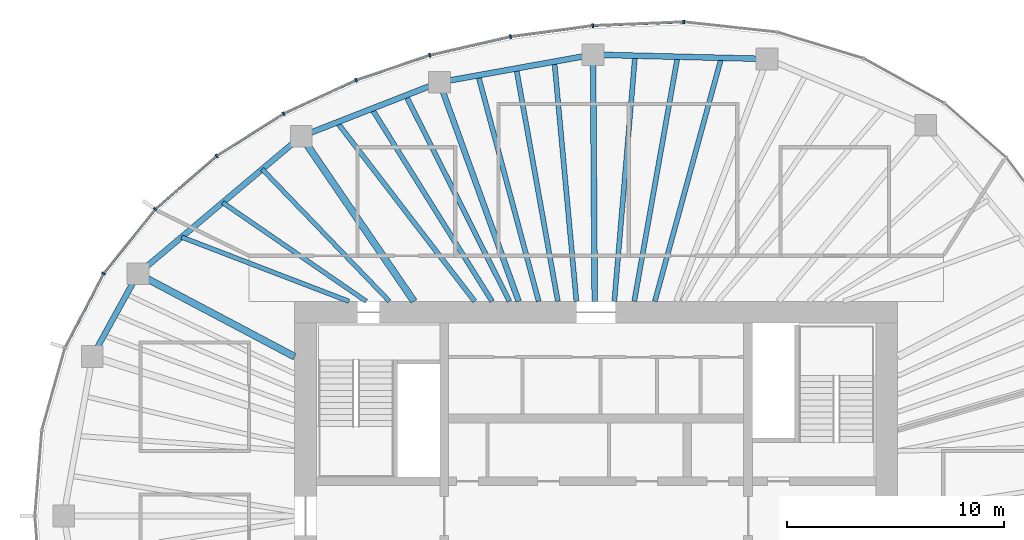
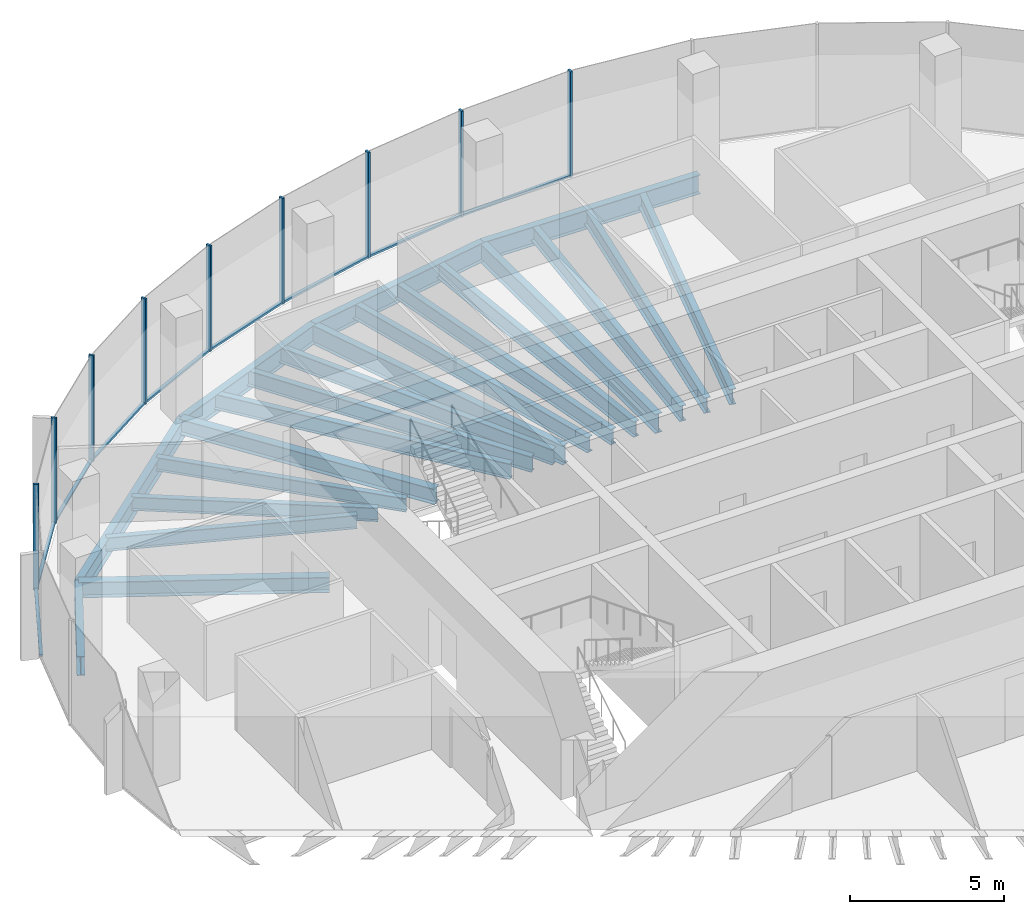
# One storey, part 5 of 11: 21 beams, 18 members, 5 elements without a shape of their own.
"""IFC4 building model written with IfcOpenShell, lengths in metres."""

from ifc_helpers import new_model, si_unit, direction, frame, origin, origin_2d, place, context, subcontext, project, spatial, rectangle, i_section, extrude, material, material_profile, profile_set, type_object, element, aggregate, save


model = new_model("IFC4")

# Units and contexts
model_context = context("Model", 3, precision=1e-05, world=origin(), true_north=direction((0.0, 1.0)))
body_context = subcontext(model_context, "Body", "Model", "MODEL_VIEW")
ifc_project = project(units=[si_unit("LENGTHUNIT", "METRE"), si_unit("AREAUNIT", "SQUARE_METRE"), si_unit("VOLUMEUNIT", "CUBIC_METRE"), si_unit("PLANEANGLEUNIT", "RADIAN"), si_unit("MASSUNIT", "GRAM", prefix="KILO")], contexts=[model_context])

# Site, building, storey
site_placement = place(None, origin())
site = spatial("IfcSite", under=ifc_project, at=site_placement, CompositionType="ELEMENT")
building_placement = place(site_placement, origin())
building = spatial("IfcBuilding", under=site, at=building_placement, Name="Ghaith Harvest Tower", CompositionType="ELEMENT")
storey_placement = place(building_placement, frame((0.0, 0.0, 313.199951171875)))
storey = spatial("IfcBuildingStorey", under=building, at=storey_placement, Name="L70", CompositionType="ELEMENT", Elevation=313.199951171875)

# Curtain wall, member
ifc_material_1 = material(Name="Black anodised aluminium and fritted glass", Category="aluminium")
curtain_wall_type = type_object("IfcCurtainWallType", Name="CW-T CURTAIN WALL", PredefinedType="NOTDEFINED", material=ifc_material_1)
curtain_wall_1_placement = place(storey_placement, origin())
curtain_wall_1 = element("IfcCurtainWall", 1, at=curtain_wall_1_placement, inside=storey, type_object=curtain_wall_type, Name="Curtain wall CW-T bay 05 L70", PredefinedType="NOTDEFINED")
ifc_material_2 = material(Name="Aluminium, black anodised", Category="aluminium")
ifc_material_profile_1 = material_profile(ifc_material_2, rectangle(XDim=0.080078125, YDim=0.179931640625, at=origin_2d()), Name="CW-T MULLION 80x180")
ifc_profile_set_1 = profile_set([ifc_material_profile_1], Name="Aluminium, black anodised")
member_type_1 = type_object("IfcMemberType", Name="CW-T MULLION 80x180", PredefinedType="MULLION", material=ifc_profile_set_1)
member_1_placement = place(storey_placement, frame((4.037841796875, 22.776611328125, 0.0), z_axis=(0.0, 0.0, 1.0), x_axis=(-0.999388631236, 0.034962319079, 0.0)))
member_1 = element("IfcMember", 2, at=member_1_placement, type_object=member_type_1, Name="CW-T mullion 2 bay 05 L70", PredefinedType="MULLION", context=body_context, shape_type="SweptSolid", body=[
    extrude(rectangle(XDim=0.080078125, YDim=0.179931640625, at=origin_2d()), origin(), (0.0, 0.0, 1.0), 4.199951171875),
])

# Curtain wall, members
curtain_wall_2_placement = place(storey_placement, origin())
curtain_wall_2 = element("IfcCurtainWall", 3, at=curtain_wall_2_placement, inside=storey, type_object=curtain_wall_type, Name="Curtain wall CW-T bay 06 L70", PredefinedType="NOTDEFINED")
member_2_placement = place(storey_placement, frame((-0.15478515625, 22.60595703125, 0.0), z_axis=(0.0, 0.0, 1.0), x_axis=(-0.996414855482, -0.084601629853, 0.0)))
member_2 = element("IfcMember", 4, at=member_2_placement, type_object=member_type_1, Name="CW-T mullion 1 bay 06 L70", PredefinedType="MULLION", context=body_context, shape_type="SweptSolid", body=[
    extrude(rectangle(XDim=0.080078125, YDim=0.179931640625, at=origin_2d()), origin(), (0.0, 0.0, 1.0), 4.199951171875),
])
member_3_placement = place(storey_placement, frame((-3.946533203125, 22.0986328125, 0.0), z_axis=(0.0, 0.0, 1.0), x_axis=(-0.983843447681, -0.179030920389, 0.0)))
member_3 = element("IfcMember", 5, at=member_3_placement, type_object=member_type_1, Name="CW-T mullion 2 bay 06 L70", PredefinedType="MULLION", context=body_context, shape_type="SweptSolid", body=[
    extrude(rectangle(XDim=0.080078125, YDim=0.179931640625, at=origin_2d()), origin(), (0.0, 0.0, 1.0), 4.199951171875),
])

curtain_wall_3_placement = place(storey_placement, origin())
curtain_wall_3 = element("IfcCurtainWall", 6, at=curtain_wall_3_placement, inside=storey, type_object=curtain_wall_type, Name="Curtain wall CW-T bay 07 L70", PredefinedType="NOTDEFINED")
member_4_placement = place(storey_placement, frame((-7.6708984375, 21.23828125, 0.0), z_axis=(0.0, 0.0, 1.0), x_axis=(-0.962552491436, -0.27109537294, 0.0)))
member_4 = element("IfcMember", 7, at=member_4_placement, type_object=member_type_1, Name="CW-T mullion 1 bay 07 L70", PredefinedType="MULLION", context=body_context, shape_type="SweptSolid", body=[
    extrude(rectangle(XDim=0.080078125, YDim=0.179931640625, at=origin_2d()), origin(), (0.0, 0.0, 1.0), 4.199951171875),
])
member_5_placement = place(storey_placement, frame((-11.0673828125, 20.093017578125, 0.0), z_axis=(0.0, 0.0, 1.0), x_axis=(-0.928624420706, -0.371021138573, 0.0)))
member_5 = element("IfcMember", 8, at=member_5_placement, type_object=member_type_1, Name="CW-T mullion 2 bay 07 L70", PredefinedType="MULLION", context=body_context, shape_type="SweptSolid", body=[
    extrude(rectangle(XDim=0.080078125, YDim=0.179931640625, at=origin_2d()), origin(), (0.0, 0.0, 1.0), 4.199951171875),
])

curtain_wall_4_placement = place(storey_placement, origin())
curtain_wall_4 = element("IfcCurtainWall", 9, at=curtain_wall_4_placement, inside=storey, type_object=curtain_wall_type, Name="Curtain wall CW-T bay 08 L70", PredefinedType="NOTDEFINED")
member_6_placement = place(storey_placement, frame((-14.40478515625, 18.5478515625, 0.0), z_axis=(0.0, 0.0, 1.0), x_axis=(-0.87867173244, -0.477426420101, 0.0)))
member_6 = element("IfcMember", 10, at=member_6_placement, type_object=member_type_1, Name="CW-T mullion 1 bay 08 L70", PredefinedType="MULLION", context=body_context, shape_type="SweptSolid", body=[
    extrude(rectangle(XDim=0.080078125, YDim=0.179931640625, at=origin_2d()), origin(), (0.0, 0.0, 1.0), 4.199951171875),
])
member_7_placement = place(storey_placement, frame((-17.49462890625, 16.600830078125, 0.0), z_axis=(0.0, 0.0, 1.0), x_axis=(-0.802189888678, -0.597068993084, 0.0)))
member_7 = element("IfcMember", 11, at=member_7_placement, type_object=member_type_1, Name="CW-T mullion 2 bay 08 L70", PredefinedType="MULLION", context=body_context, shape_type="SweptSolid", body=[
    extrude(rectangle(XDim=0.080078125, YDim=0.179931640625, at=origin_2d()), origin(), (0.0, 0.0, 1.0), 4.199951171875),
])

curtain_wall_5_placement = place(storey_placement, origin())
curtain_wall_5 = element("IfcCurtainWall", 12, at=curtain_wall_5_placement, inside=storey, type_object=curtain_wall_type, Name="Curtain wall CW-T bay 09 L70", PredefinedType="NOTDEFINED")
member_8_placement = place(storey_placement, frame((-20.324462890625, 14.141845703125, 0.0), z_axis=(0.0, 0.0, 1.0), x_axis=(-0.692826491995, -0.72110432809, 0.0)))
member_8 = element("IfcMember", 13, at=member_8_placement, type_object=member_type_1, Name="CW-T mullion 1 bay 09 L70", PredefinedType="MULLION", context=body_context, shape_type="SweptSolid", body=[
    extrude(rectangle(XDim=0.080078125, YDim=0.179931640625, at=origin_2d()), origin(), (0.0, 0.0, 1.0), 4.199951171875),
])
member_9_placement = place(storey_placement, frame((-22.706298828125, 11.176513671875, 0.0), z_axis=(0.0, 0.0, 1.0), x_axis=(-0.545865412621, -0.837872872997, 0.0)))
member_9 = element("IfcMember", 14, at=member_9_placement, type_object=member_type_1, Name="CW-T mullion 2 bay 09 L70", PredefinedType="MULLION", context=body_context, shape_type="SweptSolid", body=[
    extrude(rectangle(XDim=0.080078125, YDim=0.179931640625, at=origin_2d()), origin(), (0.0, 0.0, 1.0), 4.199951171875),
])

# Member
ifc_material_3 = material(Name="Aluminium, black anodised", Category="aluminium")
ifc_material_profile_2 = material_profile(ifc_material_3, rectangle(XDim=0.1201171875, YDim=0.080078125, at=origin_2d()), Name="CW-T TRANSOM 120x80")
ifc_profile_set_2 = profile_set([ifc_material_profile_2], Name="Aluminium, black anodised")
member_type_2 = type_object("IfcMemberType", Name="CW-T TRANSOM 120x80", PredefinedType="USERDEFINED", material=ifc_profile_set_2)
member_10_placement = place(storey_placement, frame((3.997802734375, 22.77490234375, 0.0400390625), z_axis=(-0.999174207562, -0.040631304968, 0.0), x_axis=(0.040631304968, -0.999174207562, 0.0)))
member_10 = element("IfcMember", 15, at=member_10_placement, type_object=member_type_2, Name="CW-T transom 2 bay 05 L70", ObjectType="TRANSOM", PredefinedType="USERDEFINED", context=body_context, shape_type="SweptSolid", body=[
    extrude(rectangle(XDim=0.1201171875, YDim=0.080078125, at=origin_2d()), origin(), (0.0, 0.0, 1.0), 4.115966796875),
])

aggregate(curtain_wall_1, [member_1, member_10])

member_11_placement = place(storey_placement, frame((-0.1943359375, 22.6005859375, 0.0400390625), z_axis=(-0.99117202259, -0.132582131655, 0.0), x_axis=(0.132582131655, -0.99117202259, 0.0)))
member_11 = element("IfcMember", 16, at=member_11_placement, type_object=member_type_2, Name="CW-T transom 1 bay 06 L70", ObjectType="TRANSOM", PredefinedType="USERDEFINED", context=body_context, shape_type="SweptSolid", body=[
    extrude(rectangle(XDim=0.1201171875, YDim=0.080078125, at=origin_2d()), origin(), (0.0, 0.0, 1.0), 3.745361328125),
])

member_12_placement = place(storey_placement, frame((-3.9853515625, 22.089599609375, 0.0400390625), z_axis=(-0.974344997799, -0.225059603803, 0.0), x_axis=(0.225059603803, -0.974344997799, 0.0)))
member_12 = element("IfcMember", 17, at=member_12_placement, type_object=member_type_2, Name="CW-T transom 2 bay 06 L70", ObjectType="TRANSOM", PredefinedType="USERDEFINED", context=body_context, shape_type="SweptSolid", body=[
    extrude(rectangle(XDim=0.1201171875, YDim=0.080078125, at=origin_2d()), origin(), (0.0, 0.0, 1.0), 3.742431640625),
])

aggregate(curtain_wall_2, [member_2, member_11, member_3, member_12])

member_13_placement = place(storey_placement, frame((-7.708740234375, 21.2255859375, 0.0400390625), z_axis=(-0.9475698206, -0.319548799228, 0.0), x_axis=(0.319548799228, -0.9475698206, 0.0)))
member_13 = element("IfcMember", 18, at=member_13_placement, type_object=member_type_2, Name="CW-T transom 1 bay 07 L70", ObjectType="TRANSOM", PredefinedType="USERDEFINED", context=body_context, shape_type="SweptSolid", body=[
    extrude(rectangle(XDim=0.1201171875, YDim=0.080078125, at=origin_2d()), origin(), (0.0, 0.0, 1.0), 3.504638671875),
])

member_14_placement = place(storey_placement, frame((-11.103759765625, 20.076171875, 0.0400390625), z_axis=(-0.907472177056, -0.420112184862, 0.0), x_axis=(0.420112184862, -0.907472177056, 0.0)))
member_14 = element("IfcMember", 19, at=member_14_placement, type_object=member_type_2, Name="CW-T transom 2 bay 07 L70", ObjectType="TRANSOM", PredefinedType="USERDEFINED", context=body_context, shape_type="SweptSolid", body=[
    extrude(rectangle(XDim=0.1201171875, YDim=0.080078125, at=origin_2d()), origin(), (0.0, 0.0, 1.0), 3.597900390625),
])

aggregate(curtain_wall_3, [member_4, member_13, member_5, member_14])

member_15_placement = place(storey_placement, frame((-14.438720703125, 18.5263671875, 0.0400390625), z_axis=(-0.846053602505, -0.533097835006, 0.0), x_axis=(0.533097835006, -0.846053602505, 0.0)))
member_15 = element("IfcMember", 20, at=member_15_placement, type_object=member_type_2, Name="CW-T transom 1 bay 08 L70", ObjectType="TRANSOM", PredefinedType="USERDEFINED", context=body_context, shape_type="SweptSolid", body=[
    extrude(rectangle(XDim=0.1201171875, YDim=0.080078125, at=origin_2d()), origin(), (0.0, 0.0, 1.0), 3.572021484375),
])

member_16_placement = place(storey_placement, frame((-17.52490234375, 16.574462890625, 0.0400390625), z_axis=(-0.754851889287, -0.65589528527, 0.0), x_axis=(0.65589528527, -0.754851889287, 0.0)))
member_16 = element("IfcMember", 21, at=member_16_placement, type_object=member_type_2, Name="CW-T transom 2 bay 08 L70", ObjectType="TRANSOM", PredefinedType="USERDEFINED", context=body_context, shape_type="SweptSolid", body=[
    extrude(rectangle(XDim=0.1201171875, YDim=0.080078125, at=origin_2d()), origin(), (0.0, 0.0, 1.0), 3.668701171875),
])

aggregate(curtain_wall_4, [member_6, member_15, member_7, member_16])

member_17_placement = place(storey_placement, frame((-20.349365234375, 14.110595703125, 0.0400390625), z_axis=(-0.626253073761, -0.779619835307, 0.0), x_axis=(0.779619835307, -0.626253073761, 0.0)))
member_17 = element("IfcMember", 22, at=member_17_placement, type_object=member_type_2, Name="CW-T transom 1 bay 09 L70", ObjectType="TRANSOM", PredefinedType="USERDEFINED", context=body_context, shape_type="SweptSolid", body=[
    extrude(rectangle(XDim=0.1201171875, YDim=0.080078125, at=origin_2d()), origin(), (0.0, 0.0, 1.0), 3.723388671875),
])

member_18_placement = place(storey_placement, frame((-22.724609375, 11.14111328125, 0.0400390625), z_axis=(-0.461242681347, -0.887274021317, 0.0), x_axis=(0.887274021317, -0.461242681347, 0.0)))
member_18 = element("IfcMember", 23, at=member_18_placement, type_object=member_type_2, Name="CW-T transom 2 bay 09 L70", ObjectType="TRANSOM", PredefinedType="USERDEFINED", context=body_context, shape_type="SweptSolid", body=[
    extrude(rectangle(XDim=0.1201171875, YDim=0.080078125, at=origin_2d()), origin(), (0.0, 0.0, 1.0), 3.77197265625),
])

aggregate(curtain_wall_5, [member_8, member_17, member_9, member_18])

# Beams
ifc_material_4 = material(Name="Steel ASTM A992 Grade 50", Category="steel")
ifc_material_profile_3 = material_profile(ifc_material_4, i_section(OverallWidth=0.26611328125, OverallDepth=0.758056640625, WebThickness=0.013916015625, FlangeThickness=0.019287109375, at=origin_2d()), Name="W760X161")
ifc_profile_set_3 = profile_set([ifc_material_profile_3], Name="Steel ASTM A992 Grade 50")
beam_type_1 = type_object("IfcBeamType", Name="E760-161 W760X161", PredefinedType="SPANDREL", material=ifc_profile_set_3)
beam_1_placement = place(storey_placement, frame((7.8779296875, 21.072021484375, -0.549072265625), z_axis=(-0.999692679676, 0.024790042413, 0.0), x_axis=(-0.024790042413, -0.999692679676, 0.0)))
element("IfcBeam", 24, at=beam_1_placement, inside=storey, type_object=beam_type_1, Name="Edge beam E05 L70", PredefinedType="SPANDREL", context=body_context, shape_type="SweptSolid", body=[
    extrude(i_section(OverallWidth=0.26611328125, OverallDepth=0.758056640625, WebThickness=0.013916015625, FlangeThickness=0.019287109375, at=origin_2d()), origin(), (0.0, 0.0, 1.0), 8.0263671875),
])
beam_2_placement = place(storey_placement, frame((-0.14599609375, 21.27099609375, -0.549072265625), z_axis=(-0.984177047684, -0.177187863051, 0.0), x_axis=(0.177187863051, -0.984177047684, 0.0)))
element("IfcBeam", 25, at=beam_2_placement, inside=storey, type_object=beam_type_1, Name="Edge beam E06 L70", PredefinedType="SPANDREL", context=body_context, shape_type="SweptSolid", body=[
    extrude(i_section(OverallWidth=0.26611328125, OverallDepth=0.758056640625, WebThickness=0.013916015625, FlangeThickness=0.019287109375, at=origin_2d()), origin(), (0.0, 0.0, 1.0), 7.189697265625),
])
beam_3_placement = place(storey_placement, frame((-7.221923828125, 19.9970703125, -0.549072265625), z_axis=(-0.931322768207, -0.364194867371, 0.0), x_axis=(0.364194867371, -0.931322768207, 0.0)))
element("IfcBeam", 26, at=beam_3_placement, inside=storey, type_object=beam_type_1, Name="Edge beam E07 L70", PredefinedType="SPANDREL", context=body_context, shape_type="SweptSolid", body=[
    extrude(i_section(OverallWidth=0.26611328125, OverallDepth=0.758056640625, WebThickness=0.013916015625, FlangeThickness=0.019287109375, at=origin_2d()), origin(), (0.0, 0.0, 1.0), 6.843017578125),
])
beam_4_placement = place(storey_placement, frame((-13.594970703125, 17.5048828125, -0.549072265625), z_axis=(-0.765021818761, -0.64400436087, 0.0), x_axis=(0.64400436087, -0.765021818761, 0.0)))
element("IfcBeam", 27, at=beam_4_placement, inside=storey, type_object=beam_type_1, Name="Edge beam E08 L70", PredefinedType="SPANDREL", context=body_context, shape_type="SweptSolid", body=[
    extrude(i_section(OverallWidth=0.26611328125, OverallDepth=0.758056640625, WebThickness=0.013916015625, FlangeThickness=0.019287109375, at=origin_2d()), origin(), (0.0, 0.0, 1.0), 9.8427734375),
])
beam_5_placement = place(storey_placement, frame((-21.125, 11.166015625, -0.549072265625), z_axis=(-0.482955575345, -0.875644855089, 0.0), x_axis=(0.875644855089, -0.482955575345, 0.0)))
element("IfcBeam", 28, at=beam_5_placement, inside=storey, type_object=beam_type_1, Name="Edge beam E09 L70", PredefinedType="SPANDREL", context=body_context, shape_type="SweptSolid", body=[
    extrude(i_section(OverallWidth=0.26611328125, OverallDepth=0.758056640625, WebThickness=0.013916015625, FlangeThickness=0.019287109375, at=origin_2d()), origin(), (0.0, 0.0, 1.0), 4.346435546875),
])
ifc_material_5 = material(Name="Steel ASTM A992 Grade 50", Category="steel")
ifc_material_profile_4 = material_profile(ifc_material_5, i_section(OverallWidth=0.323974609375, OverallDepth=0.611083984375, WebThickness=0.0126953125, FlangeThickness=0.01904296875, at=origin_2d()), Name="W610X155")
ifc_profile_set_4 = profile_set([ifc_material_profile_4], Name="Steel ASTM A992 Grade 50")
beam_type_2 = type_object("IfcBeamType", Name="G610-155 W610X155", PredefinedType="BEAM", material=ifc_profile_set_4)
beam_6_placement = place(storey_placement, frame((-8.39990234375, 9.89990234375, -0.475341796875), z_axis=(-0.564067018201, 0.825729010619, 0.0), x_axis=(-0.825729010619, -0.564067018201, 0.0)))
element("IfcBeam", 29, at=beam_6_placement, inside=storey, type_object=beam_type_2, Name="Radial girder G08 L70", PredefinedType="BEAM", context=body_context, shape_type="SweptSolid", body=[
    extrude(i_section(OverallWidth=0.323974609375, OverallDepth=0.611083984375, WebThickness=0.0126953125, FlangeThickness=0.01904296875, at=origin_2d()), origin(), (0.0, 0.0, 1.0), 9.2099609375),
])
beam_7_placement = place(storey_placement, frame((-13.89990234375, 7.34716796875, -0.475341796875), z_axis=(-0.88410164037, 0.467294649546, 0.0), x_axis=(-0.467294649546, -0.88410164037, 0.0)))
element("IfcBeam", 30, at=beam_7_placement, inside=storey, type_object=beam_type_2, Name="Radial girder G09 L70", PredefinedType="BEAM", context=body_context, shape_type="SweptSolid", body=[
    extrude(i_section(OverallWidth=0.323974609375, OverallDepth=0.611083984375, WebThickness=0.0126953125, FlangeThickness=0.01904296875, at=origin_2d()), origin(), (0.0, 0.0, 1.0), 8.17236328125),
])
ifc_material_6 = material(Name="Steel ASTM A992 Grade 50", Category="steel")
ifc_material_profile_5 = material_profile(ifc_material_6, i_section(OverallWidth=0.26611328125, OverallDepth=0.758056640625, WebThickness=0.013916015625, FlangeThickness=0.019287109375, at=origin_2d()), Name="W760X161")
ifc_profile_set_5 = profile_set([ifc_material_profile_5], Name="Steel ASTM A992 Grade 50")
beam_type_3 = type_object("IfcBeamType", Name="G760-161 W760X161", PredefinedType="BEAM", material=ifc_profile_set_5)
beam_8_placement = place(storey_placement, frame((-0.06787109375, 9.89990234375, -0.549072265625), z_axis=(-0.00687032909, 0.999976399011, 0.0), x_axis=(-0.999976399011, -0.00687032909, 0.0)))
element("IfcBeam", 31, at=beam_8_placement, inside=storey, type_object=beam_type_3, Name="Radial girder G06 L70", PredefinedType="BEAM", context=body_context, shape_type="SweptSolid", body=[
    extrude(i_section(OverallWidth=0.26611328125, OverallDepth=0.758056640625, WebThickness=0.013916015625, FlangeThickness=0.019287109375, at=origin_2d()), origin(), (0.0, 0.0, 1.0), 11.371337890625),
])
beam_9_placement = place(storey_placement, frame((-3.57568359375, 9.89990234375, -0.549072265625), z_axis=(-0.339647816823, 0.940552688863, 0.0), x_axis=(-0.940552688863, -0.339647816823, 0.0)))
element("IfcBeam", 32, at=beam_9_placement, inside=storey, type_object=beam_type_3, Name="Radial girder G07 L70", PredefinedType="BEAM", context=body_context, shape_type="SweptSolid", body=[
    extrude(i_section(OverallWidth=0.26611328125, OverallDepth=0.758056640625, WebThickness=0.013916015625, FlangeThickness=0.019287109375, at=origin_2d()), origin(), (0.0, 0.0, 1.0), 10.7353515625),
])
ifc_material_7 = material(Name="Steel ASTM A992 Grade 50", Category="steel")
ifc_material_profile_6 = material_profile(ifc_material_7, i_section(OverallWidth=0.2109375, OverallDepth=0.5390625, WebThickness=0.01171875, FlangeThickness=0.018798828125, at=origin_2d()), Name="W530X109")
ifc_profile_set_6 = profile_set([ifc_material_profile_6], Name="Steel ASTM A992 Grade 50")
beam_type_4 = type_object("IfcBeamType", Name="J530-109 W530X109", PredefinedType="JOIST", material=ifc_profile_set_6)
beam_10_placement = place(storey_placement, frame((-9.530517578125, 9.89990234375, -0.439453125), z_axis=(-0.693536238632, 0.720421741554, 0.0), x_axis=(-0.720421741554, -0.693536238632, 0.0)))
element("IfcBeam", 33, at=beam_10_placement, inside=storey, type_object=beam_type_4, Name="Joist J08.1 L70", PredefinedType="JOIST", context=body_context, shape_type="SweptSolid", body=[
    extrude(i_section(OverallWidth=0.2109375, OverallDepth=0.5390625, WebThickness=0.01171875, FlangeThickness=0.018798828125, at=origin_2d()), origin(), (0.0, 0.0, 1.0), 8.4541015625),
])
beam_11_placement = place(storey_placement, frame((-10.60009765625, 9.89990234375, -0.439453125), z_axis=(-0.823778502511, 0.566911791023, 0.0), x_axis=(-0.566911791023, -0.823778502511, 0.0)))
element("IfcBeam", 34, at=beam_11_placement, inside=storey, type_object=beam_type_4, Name="Joist J08.2 L70", PredefinedType="JOIST", context=body_context, shape_type="SweptSolid", body=[
    extrude(i_section(OverallWidth=0.2109375, OverallDepth=0.5390625, WebThickness=0.01171875, FlangeThickness=0.018798828125, at=origin_2d()), origin(), (0.0, 0.0, 1.0), 8.0341796875),
])
beam_12_placement = place(storey_placement, frame((-11.39990234375, 9.89990234375, -0.439453125), z_axis=(-0.933583045329, 0.358361127181, 0.0), x_axis=(-0.358361127181, -0.933583045329, 0.0)))
element("IfcBeam", 35, at=beam_12_placement, inside=storey, type_object=beam_type_4, Name="Joist J08.3 L70", PredefinedType="JOIST", context=body_context, shape_type="SweptSolid", body=[
    extrude(i_section(OverallWidth=0.2109375, OverallDepth=0.5390625, WebThickness=0.01171875, FlangeThickness=0.018798828125, at=origin_2d()), origin(), (0.0, 0.0, 1.0), 8.260986328125),
])
ifc_material_8 = material(Name="Steel ASTM A992 Grade 50", Category="steel")
ifc_material_profile_7 = material_profile(ifc_material_8, i_section(OverallWidth=0.22998046875, OverallDepth=0.616943359375, WebThickness=0.01318359375, FlangeThickness=0.022216796875, at=origin_2d()), Name="W610X140")
ifc_profile_set_7 = profile_set([ifc_material_profile_7], Name="Steel ASTM A992 Grade 50")
beam_type_5 = type_object("IfcBeamType", Name="J610-140 W610X140", PredefinedType="JOIST", material=ifc_profile_set_7)
beam_13_placement = place(storey_placement, frame((2.70361328125, 9.89990234375, -0.478515625), z_axis=(0.263456499314, 0.964671277156, 0.0), x_axis=(-0.964671277156, 0.263456499314, 0.0)))
element("IfcBeam", 36, at=beam_13_placement, inside=storey, type_object=beam_type_5, Name="Joist J05.1 L70", PredefinedType="JOIST", context=body_context, shape_type="SweptSolid", body=[
    extrude(i_section(OverallWidth=0.22998046875, OverallDepth=0.616943359375, WebThickness=0.01318359375, FlangeThickness=0.022216796875, at=origin_2d()), origin(), (0.0, 0.0, 1.0), 11.635498046875),
])
beam_14_placement = place(storey_placement, frame((1.7548828125, 9.89990234375, -0.478515625), z_axis=(0.174562528022, 0.984646090639, 0.0), x_axis=(-0.984646090639, 0.174562528022, 0.0)))
element("IfcBeam", 37, at=beam_14_placement, inside=storey, type_object=beam_type_5, Name="Joist J05.2 L70", PredefinedType="JOIST", context=body_context, shape_type="SweptSolid", body=[
    extrude(i_section(OverallWidth=0.22998046875, OverallDepth=0.616943359375, WebThickness=0.01318359375, FlangeThickness=0.022216796875, at=origin_2d()), origin(), (0.0, 0.0, 1.0), 11.4501953125),
])
beam_15_placement = place(storey_placement, frame((0.836669921875, 9.89990234375, -0.478515625), z_axis=(0.084199386432, 0.996448926601, 0.0), x_axis=(-0.996448926601, 0.084199386432, 0.0)))
element("IfcBeam", 38, at=beam_15_placement, inside=storey, type_object=beam_type_5, Name="Joist J05.3 L70", PredefinedType="JOIST", context=body_context, shape_type="SweptSolid", body=[
    extrude(i_section(OverallWidth=0.22998046875, OverallDepth=0.616943359375, WebThickness=0.01318359375, FlangeThickness=0.022216796875, at=origin_2d()), origin(), (0.0, 0.0, 1.0), 11.36328125),
])
beam_16_placement = place(storey_placement, frame((-0.9111328125, 9.89990234375, -0.478515625), z_axis=(-0.091654473201, 0.995790870385, 0.0), x_axis=(-0.995790870385, -0.091654473201, 0.0)))
element("IfcBeam", 39, at=beam_16_placement, inside=storey, type_object=beam_type_5, Name="Joist J06.1 L70", PredefinedType="JOIST", context=body_context, shape_type="SweptSolid", body=[
    extrude(i_section(OverallWidth=0.22998046875, OverallDepth=0.616943359375, WebThickness=0.01318359375, FlangeThickness=0.022216796875, at=origin_2d()), origin(), (0.0, 0.0, 1.0), 11.096923828125),
])
beam_17_placement = place(storey_placement, frame((-1.76806640625, 9.89990234375, -0.478515625), z_axis=(-0.175789088574, 0.984427852277, 0.0), x_axis=(-0.984427852277, -0.175789088574, 0.0)))
element("IfcBeam", 40, at=beam_17_placement, inside=storey, type_object=beam_type_5, Name="Joist J06.2 L70", PredefinedType="JOIST", context=body_context, shape_type="SweptSolid", body=[
    extrude(i_section(OverallWidth=0.22998046875, OverallDepth=0.616943359375, WebThickness=0.01318359375, FlangeThickness=0.022216796875, at=origin_2d()), origin(), (0.0, 0.0, 1.0), 10.903564453125),
])
beam_18_placement = place(storey_placement, frame((-2.651123046875, 9.89990234375, -0.478515625), z_axis=(-0.258678376387, 0.96596350738, 0.0), x_axis=(-0.96596350738, -0.258678376387, 0.0)))
element("IfcBeam", 41, at=beam_18_placement, inside=storey, type_object=beam_type_5, Name="Joist J06.3 L70", PredefinedType="JOIST", context=body_context, shape_type="SweptSolid", body=[
    extrude(i_section(OverallWidth=0.22998046875, OverallDepth=0.616943359375, WebThickness=0.01318359375, FlangeThickness=0.022216796875, at=origin_2d()), origin(), (0.0, 0.0, 1.0), 10.784912109375),
])
beam_19_placement = place(storey_placement, frame((-4.0, 9.89990234375, -0.478515625), z_axis=(-0.449556131123, 0.893252083664, 0.0), x_axis=(-0.893252083664, -0.449556131123, 0.0)))
element("IfcBeam", 42, at=beam_19_placement, inside=storey, type_object=beam_type_5, Name="Joist J07.1 L70", PredefinedType="JOIST", context=body_context, shape_type="SweptSolid", body=[
    extrude(i_section(OverallWidth=0.22998046875, OverallDepth=0.616943359375, WebThickness=0.01318359375, FlangeThickness=0.022216796875, at=origin_2d()), origin(), (0.0, 0.0, 1.0), 10.62353515625),
])
beam_20_placement = place(storey_placement, frame((-4.800048828125, 9.89990234375, -0.478515625), z_axis=(-0.529596254905, 0.848249849273, 0.0), x_axis=(-0.848249849273, -0.529596254905, 0.0)))
element("IfcBeam", 43, at=beam_20_placement, inside=storey, type_object=beam_type_5, Name="Joist J07.2 L70", PredefinedType="JOIST", context=body_context, shape_type="SweptSolid", body=[
    extrude(i_section(OverallWidth=0.22998046875, OverallDepth=0.616943359375, WebThickness=0.01318359375, FlangeThickness=0.022216796875, at=origin_2d()), origin(), (0.0, 0.0, 1.0), 10.465087890625),
])
beam_21_placement = place(storey_placement, frame((-5.60009765625, 9.89990234375, -0.478515625), z_axis=(-0.609353577926, 0.792898617144, 0.0), x_axis=(-0.792898617144, -0.609353577926, 0.0)))
element("IfcBeam", 44, at=beam_21_placement, inside=storey, type_object=beam_type_5, Name="Joist J07.3 L70", PredefinedType="JOIST", context=body_context, shape_type="SweptSolid", body=[
    extrude(i_section(OverallWidth=0.22998046875, OverallDepth=0.616943359375, WebThickness=0.01318359375, FlangeThickness=0.022216796875, at=origin_2d()), origin(), (0.0, 0.0, 1.0), 10.406982421875),
])

save(model, "model.ifc")
